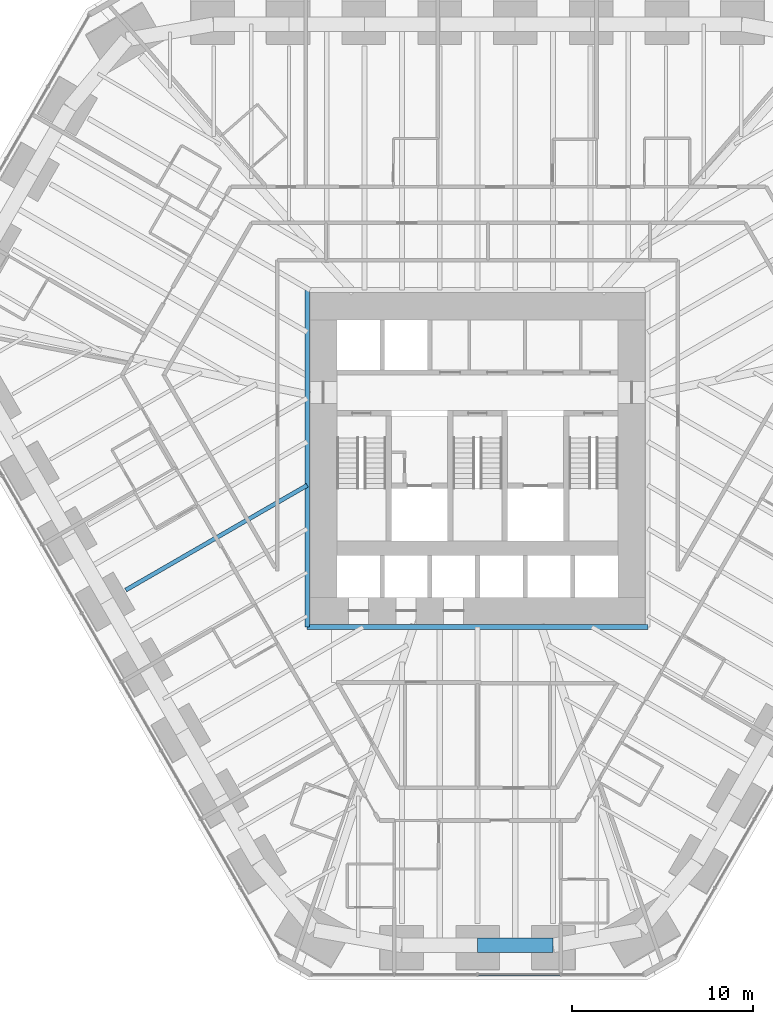
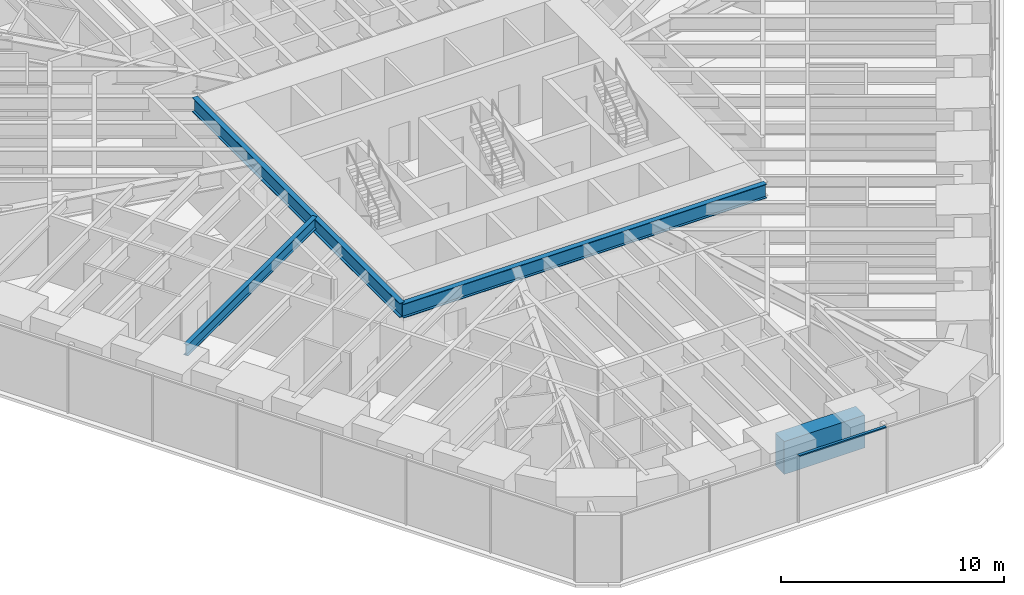
# One storey, part 4 of 17: 4 beams, 1 member, 1 element without a shape of its own.
"""IFC4 building model written with IfcOpenShell, lengths in metres."""

from ifc_helpers import new_model, si_unit, direction, frame, origin, origin_2d, place, context, subcontext, project, spatial, rectangle, i_section, extrude, material, material_profile, profile_set, type_object, element, aggregate, save


model = new_model("IFC4")

# Units and contexts
model_context = context("Model", 3, precision=1e-05, world=origin(), true_north=direction((0.0, 1.0)))
body_context = subcontext(model_context, "Body", "Model", "MODEL_VIEW")
ifc_project = project(units=[si_unit("LENGTHUNIT", "METRE"), si_unit("AREAUNIT", "SQUARE_METRE"), si_unit("VOLUMEUNIT", "CUBIC_METRE"), si_unit("PLANEANGLEUNIT", "RADIAN"), si_unit("MASSUNIT", "GRAM", prefix="KILO")], contexts=[model_context])

# Site, building, storey
site_placement = place(None, origin())
site = spatial("IfcSite", under=ifc_project, at=site_placement, CompositionType="ELEMENT")
building_placement = place(site_placement, origin())
building = spatial("IfcBuilding", under=site, at=building_placement, Name="Sandreach Pilgrim Tower", CompositionType="ELEMENT")
storey_placement = place(building_placement, frame((0.0, 0.0, 61.0)))
storey = spatial("IfcBuildingStorey", under=building, at=storey_placement, Name="L14", CompositionType="ELEMENT", Elevation=61.0)

# Curtain wall, member
ifc_material_1 = material(Name="Aluminium framed curtain wall", Category="aluminium")
curtain_wall_type = type_object("IfcCurtainWallType", Name="Hostel tower curtain wall", PredefinedType="NOTDEFINED", material=ifc_material_1)
curtain_wall_placement = place(storey_placement, origin())
curtain_wall = element("IfcCurtainWall", 1, at=curtain_wall_placement, inside=storey, type_object=curtain_wall_type, Name="CW-1 L14 S", PredefinedType="NOTDEFINED")
ifc_material_2 = material(Name="Aluminium extrusion", Category="aluminium")
ifc_material_profile_1 = material_profile(ifc_material_2, rectangle(XDim=0.139892578125, YDim=0.070068359375, at=origin_2d()), Name="CW-1T 140X70")
ifc_profile_set_1 = profile_set([ifc_material_profile_1], Name="Aluminium extrusion")
member_type = type_object("IfcMemberType", Name="CW-1 transom", PredefinedType="USERDEFINED", material=ifc_profile_set_1)
member_placement = place(storey_placement, frame((4.553466796875, -30.010986328125, 3.60498046875), z_axis=(-1.0, 0.0, 0.0), x_axis=(0.0, -1.0, 0.0)))
member = element("IfcMember", 2, at=member_placement, type_object=member_type, Name="CW-1 head transom 2", ObjectType="TRANSOM", PredefinedType="USERDEFINED", context=body_context, shape_type="SweptSolid", body=[
    extrude(rectangle(XDim=0.139892578125, YDim=0.070068359375, at=origin_2d()), origin(), (0.0, 0.0, 1.0), 4.52099609375),
])
aggregate(curtain_wall, [member])

# Beams
ifc_material_3 = material(Name="Steel ASTM A992 Grade 50", Category="steel")
ifc_material_profile_2 = material_profile(ifc_material_3, i_section(OverallWidth=0.2666015625, OverallDepth=0.77978515625, WebThickness=0.0166015625, FlangeThickness=0.030029296875, at=origin_2d()), Name="W30X148")
ifc_profile_set_2 = profile_set([ifc_material_profile_2], Name="Steel ASTM A992 Grade 50")
beam_type_1 = type_object("IfcBeamType", Name="Core edge beam W30X148", PredefinedType="BEAM", material=ifc_profile_set_2)
beam_1_placement = place(storey_placement, frame((9.393310546875, -10.84326171875, 3.25), z_axis=(-1.0, 0.0, 0.0), x_axis=(0.0, -1.0, 0.0)))
element("IfcBeam", 3, at=beam_1_placement, inside=storey, type_object=beam_type_1, Name="BM L14 CES", PredefinedType="BEAM", context=body_context, shape_type="SweptSolid", body=[
    extrude(i_section(OverallWidth=0.2666015625, OverallDepth=0.77978515625, WebThickness=0.0166015625, FlangeThickness=0.030029296875, at=origin_2d()), origin(), (0.0, 0.0, 1.0), 18.78662109375),
])
beam_2_placement = place(storey_placement, frame((-9.393310546875, -10.84326171875, 3.25), z_axis=(0.0, 1.0, 0.0), x_axis=(-1.0, 0.0, 0.0)))
element("IfcBeam", 4, at=beam_2_placement, inside=storey, type_object=beam_type_1, Name="BM L14 CEW", PredefinedType="BEAM", context=body_context, shape_type="SweptSolid", body=[
    extrude(i_section(OverallWidth=0.2666015625, OverallDepth=0.77978515625, WebThickness=0.0166015625, FlangeThickness=0.030029296875, at=origin_2d()), origin(), (0.0, 0.0, 1.0), 18.586669921875),
])
ifc_material_4 = material(Name="Steel ASTM A992 Grade 50", Category="steel")
ifc_material_profile_3 = material_profile(ifc_material_4, i_section(OverallWidth=0.23046875, OverallDepth=0.6171875, WebThickness=0.01318359375, FlangeThickness=0.022216796875, at=origin_2d()), Name="W24X94")
ifc_profile_set_3 = profile_set([ifc_material_profile_3], Name="Steel ASTM A992 Grade 50")
beam_type_2 = type_object("IfcBeamType", Name="Floor beam W24X94", PredefinedType="BEAM", material=ifc_profile_set_3)
beam_3_placement = place(storey_placement, frame((-19.407470703125, -8.80419921875, 3.331298828125), z_axis=(0.86602314875, 0.500003905814, 0.0), x_axis=(-0.500003905814, 0.86602314875, 0.0)))
element("IfcBeam", 5, at=beam_3_placement, inside=storey, type_object=beam_type_2, Name="BM L14 F31", PredefinedType="BEAM", context=body_context, shape_type="SweptSolid", body=[
    extrude(i_section(OverallWidth=0.23046875, OverallDepth=0.6171875, WebThickness=0.01318359375, FlangeThickness=0.022216796875, at=origin_2d()), origin(), (0.0, 0.0, 1.0), 11.5634765625),
])
ifc_material_5 = material(Name="Concrete 10000 psi", Category="concrete")
ifc_material_profile_4 = material_profile(ifc_material_5, rectangle(XDim=0.800048828125, YDim=1.800048828125, at=origin_2d()), Name="RC800X1800")
ifc_profile_set_4 = profile_set([ifc_material_profile_4], Name="Concrete 10000 psi")
beam_type_3 = type_object("IfcBeamType", Name="Spandrel beam RC800X1800", PredefinedType="SPANDREL", material=ifc_profile_set_4)
beam_4_placement = place(storey_placement, frame((4.171142578125, -28.40185546875, 2.739990234375), z_axis=(-1.0, 0.0, 0.0), x_axis=(0.0, -1.0, 0.0)))
element("IfcBeam", 6, at=beam_4_placement, inside=storey, type_object=beam_type_3, Name="BM L14 SP23", PredefinedType="SPANDREL", context=body_context, shape_type="SweptSolid", body=[
    extrude(rectangle(XDim=0.800048828125, YDim=1.800048828125, at=origin_2d()), origin(), (0.0, 0.0, 1.0), 4.171142578125),
])

save(model, "model.ifc")
